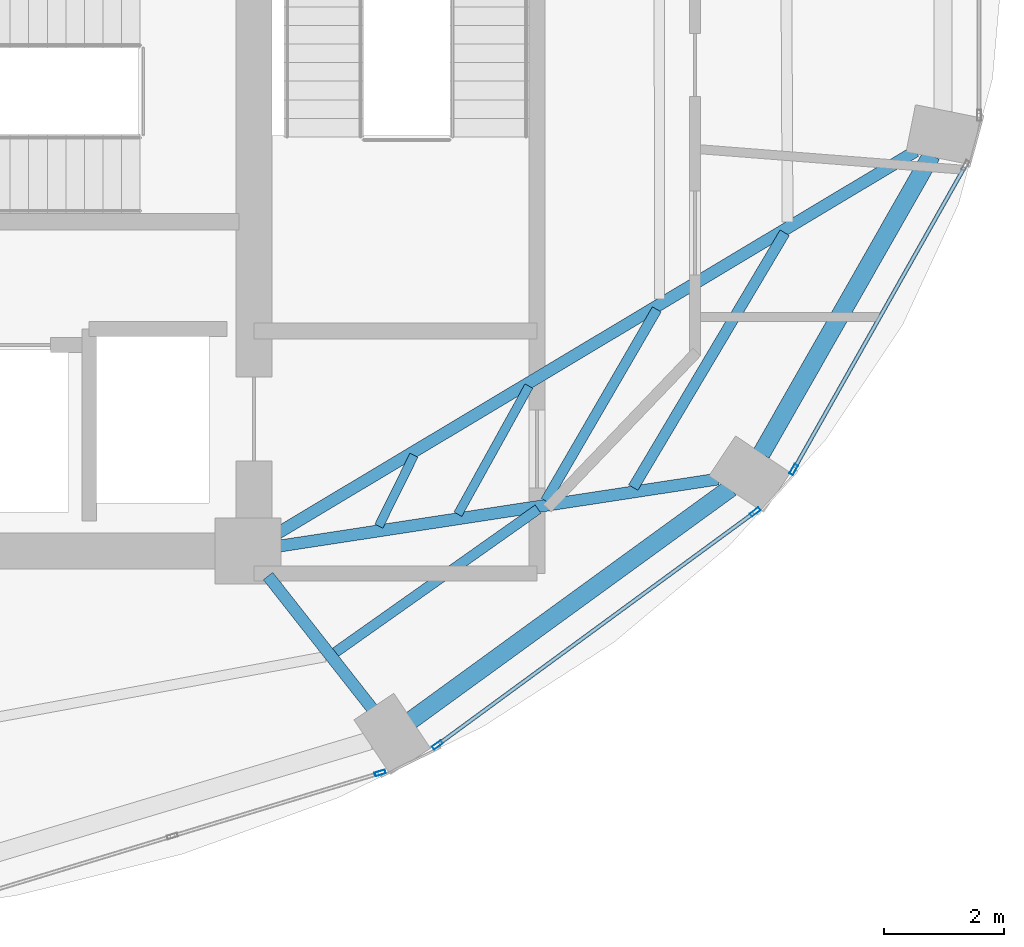
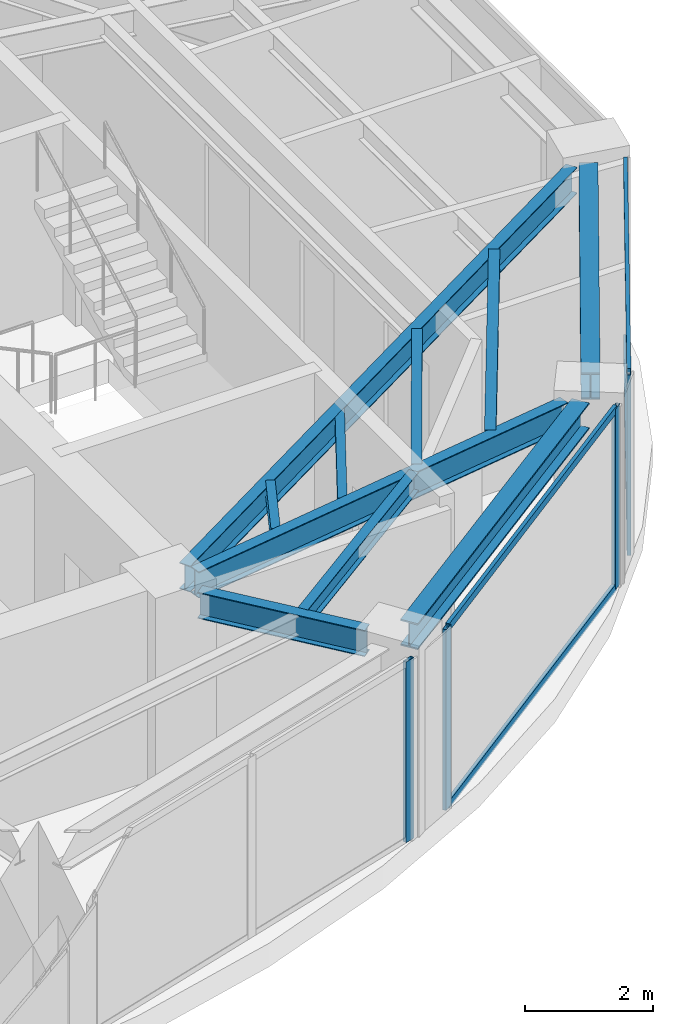
# One storey, part 13 of 23: 10 beams, 8 members, 3 elements without a shape of their own.
"""IFC4 building model written with IfcOpenShell, lengths in metres."""

from ifc_helpers import new_model, si_unit, direction, frame, origin, origin_2d, place, context, subcontext, project, spatial, hollow_rectangle, i_section, extrude, material, layer, layer_set, material_profile, profile_set, type_object, element, aggregate, save


model = new_model("IFC4")

# Units and contexts
model_context = context("Model", 3, precision=1e-05, world=origin(), true_north=direction((0.0, 1.0)))
body_context = subcontext(model_context, "Body", "Model", "MODEL_VIEW")
ifc_project = project(units=[si_unit("LENGTHUNIT", "METRE"), si_unit("AREAUNIT", "SQUARE_METRE"), si_unit("VOLUMEUNIT", "CUBIC_METRE"), si_unit("PLANEANGLEUNIT", "RADIAN"), si_unit("MASSUNIT", "GRAM", prefix="KILO")], contexts=[model_context])

# Site, building, storey
site_placement = place(None, origin())
site = spatial("IfcSite", under=ifc_project, at=site_placement, CompositionType="ELEMENT")
building_placement = place(site_placement, origin())
building = spatial("IfcBuilding", under=site, at=building_placement, Name="Lazwardi Medical Tower", CompositionType="ELEMENT")
storey_placement = place(building_placement, frame((0.0, 0.0, 194.83203125)))
storey = spatial("IfcBuildingStorey", under=building, at=storey_placement, Name="L50", CompositionType="ELEMENT", Elevation=194.83203125)

# Beams
ifc_material_1 = material(Name="Steel S355", Category="steel")
ifc_material_profile_1 = material_profile(ifc_material_1, i_section(OverallWidth=0.300048828125, OverallDepth=0.5, WebThickness=0.014404296875, FlangeThickness=0.028076171875, at=origin_2d()), Name="HEB 500")
ifc_profile_set_1 = profile_set([ifc_material_profile_1], Name="Steel S355")
beam_type_1 = type_object("IfcBeamType", Name="BM-RB-Z4", PredefinedType="BEAM", material=ifc_profile_set_1)
beam_1_placement = place(storey_placement, frame((48.31591796875, 17.5751953125, 3.197998046875), z_axis=(0.808889916254, 0.587960120571, 0.0), x_axis=(-0.587960120571, 0.808889916254, 0.0)))
element("IfcBeam", 1, at=beam_1_placement, inside=storey, type_object=beam_type_1, Name="Ring beam RB-05 B02 L50", PredefinedType="BEAM", context=body_context, shape_type="SweptSolid", body=[
    extrude(i_section(OverallWidth=0.300048828125, OverallDepth=0.5, WebThickness=0.014404296875, FlangeThickness=0.028076171875, at=origin_2d()), origin(), (0.0, 0.0, 1.0), 6.587158203125),
])
beam_2_placement = place(storey_placement, frame((54.15283203125, 22.016357421875, 3.197998046875), z_axis=(0.495125273299, 0.868821594886, 0.0), x_axis=(-0.868821594886, 0.495125273299, 0.0)))
element("IfcBeam", 2, at=beam_2_placement, inside=storey, type_object=beam_type_1, Name="Ring beam RB-05 B03 L50", PredefinedType="BEAM", context=body_context, shape_type="SweptSolid", body=[
    extrude(i_section(OverallWidth=0.300048828125, OverallDepth=0.5, WebThickness=0.014404296875, FlangeThickness=0.028076171875, at=origin_2d()), origin(), (0.0, 0.0, 1.0), 5.734130859375),
])
ifc_material_profile_2 = material_profile(ifc_material_1, i_section(OverallWidth=0.199951171875, OverallDepth=0.5, WebThickness=0.01025390625, FlangeThickness=0.01611328125, at=origin_2d()), Name="IPE 500")
ifc_profile_set_2 = profile_set([ifc_material_profile_2], Name="Steel S355")
beam_type_2 = type_object("IfcBeamType", Name="BM-RG-W3", PredefinedType="BEAM", material=ifc_profile_set_2)
beam_3_placement = place(storey_placement, frame((47.669677734375, 17.7666015625, 3.197998046875), z_axis=(-0.617890508382, 0.786264153864, 0.0), x_axis=(-0.786264153864, -0.617890508382, 0.0)))
element("IfcBeam", 3, at=beam_3_placement, inside=storey, type_object=beam_type_2, Name="Radial girder RG-04 R02 L50", PredefinedType="BEAM", context=body_context, shape_type="SweptSolid", body=[
    extrude(i_section(OverallWidth=0.199951171875, OverallDepth=0.5, WebThickness=0.01025390625, FlangeThickness=0.01611328125, at=origin_2d()), origin(), (0.0, 0.0, 1.0), 2.814453125),
])
beam_4_placement = place(storey_placement, frame((53.430908203125, 21.5966796875, 3.197998046875), z_axis=(-0.988522137285, -0.151076087115, 0.0), x_axis=(0.151076087115, -0.988522137285, 0.0)))
element("IfcBeam", 4, at=beam_4_placement, inside=storey, type_object=beam_type_2, Name="Radial girder RG-04 R03 L50", PredefinedType="BEAM", context=body_context, shape_type="SweptSolid", body=[
    extrude(i_section(OverallWidth=0.199951171875, OverallDepth=0.5, WebThickness=0.01025390625, FlangeThickness=0.01611328125, at=origin_2d()), origin(), (0.0, 0.0, 1.0), 7.38671875),
])
beam_5_placement = place(storey_placement, frame((56.72607421875, 27.062255859375, 3.197998046875), z_axis=(-0.857944804603, -0.513741873176, 0.0), x_axis=(0.513741873176, -0.857944804603, 0.0)))
element("IfcBeam", 5, at=beam_5_placement, inside=storey, type_object=beam_type_2, Name="Radial girder RG-04 R04 L50", PredefinedType="BEAM", context=body_context, shape_type="SweptSolid", body=[
    extrude(i_section(OverallWidth=0.199951171875, OverallDepth=0.5, WebThickness=0.01025390625, FlangeThickness=0.01611328125, at=origin_2d()), origin(), (0.0, 0.0, 1.0), 12.43310546875),
])
ifc_material_profile_3 = material_profile(ifc_material_1, i_section(OverallWidth=0.179931640625, OverallDepth=0.39990234375, WebThickness=0.008544921875, FlangeThickness=0.013427734375, at=origin_2d()), Name="IPE 400")
ifc_profile_set_3 = profile_set([ifc_material_profile_3], Name="Steel S355")
beam_type_3 = type_object("IfcBeamType", Name="BM-SJ-01", PredefinedType="JOIST", material=ifc_profile_set_3)
beam_6_placement = place(storey_placement, frame((52.01904296875, 21.455078125, 3.248046875), z_axis=(0.510967866251, 0.859599813668, 0.0), x_axis=(-0.859599813668, 0.510967866251, 0.0)))
element("IfcBeam", 6, at=beam_6_placement, inside=storey, type_object=beam_type_3, Name="Secondary joist SJ-01 R1 B03 L50", PredefinedType="JOIST", context=body_context, shape_type="SweptSolid", body=[
    extrude(i_section(OverallWidth=0.179931640625, OverallDepth=0.39990234375, WebThickness=0.008544921875, FlangeThickness=0.013427734375, at=origin_2d()), origin(), (0.0, 0.0, 1.0), 4.94189453125),
])
ifc_material_profile_4 = material_profile(ifc_material_1, i_section(OverallWidth=0.169921875, OverallDepth=0.360107421875, WebThickness=0.008056640625, FlangeThickness=0.0126953125, at=origin_2d()), Name="IPE 360")
ifc_profile_set_4 = profile_set([ifc_material_profile_4], Name="Steel S355")
beam_type_4 = type_object("IfcBeamType", Name="BM-SJ-02", PredefinedType="JOIST", material=ifc_profile_set_4)
beam_7_placement = place(storey_placement, frame((47.051513671875, 18.70654296875, 3.26806640625), z_axis=(0.816711190406, 0.577046645832, 0.0), x_axis=(-0.577046645832, 0.816711190406, 0.0)))
element("IfcBeam", 7, at=beam_7_placement, inside=storey, type_object=beam_type_4, Name="Secondary joist SJ-02 R2 B02 L50", PredefinedType="JOIST", context=body_context, shape_type="SweptSolid", body=[
    extrude(i_section(OverallWidth=0.169921875, OverallDepth=0.360107421875, WebThickness=0.008056640625, FlangeThickness=0.0126953125, at=origin_2d()), origin(), (0.0, 0.0, 1.0), 4.139892578125),
])
beam_8_placement = place(storey_placement, frame((50.5576171875, 21.232421875, 3.26806640625), z_axis=(0.50218018565, 0.864763008657, 0.0), x_axis=(-0.864763008657, 0.50218018565, 0.0)))
element("IfcBeam", 8, at=beam_8_placement, inside=storey, type_object=beam_type_4, Name="Secondary joist SJ-02 R2 B03 L50", PredefinedType="JOIST", context=body_context, shape_type="SweptSolid", body=[
    extrude(i_section(OverallWidth=0.169921875, OverallDepth=0.360107421875, WebThickness=0.008056640625, FlangeThickness=0.0126953125, at=origin_2d()), origin(), (0.0, 0.0, 1.0), 3.69189453125),
])
ifc_material_profile_5 = material_profile(ifc_material_1, i_section(OverallWidth=0.14990234375, OverallDepth=0.300048828125, WebThickness=0.007080078125, FlangeThickness=0.0107421875, at=origin_2d()), Name="IPE 300")
ifc_profile_set_5 = profile_set([ifc_material_profile_5], Name="Steel S355")
beam_type_5 = type_object("IfcBeamType", Name="BM-SJ-03", PredefinedType="JOIST", material=ifc_profile_set_5)
beam_9_placement = place(storey_placement, frame((49.095703125, 21.01025390625, 3.2978515625), z_axis=(0.484751625998, 0.874651851363, 0.0), x_axis=(-0.874651851363, 0.484751625998, 0.0)))
element("IfcBeam", 9, at=beam_9_placement, inside=storey, type_object=beam_type_5, Name="Secondary joist SJ-03 R3 B03 L50", PredefinedType="JOIST", context=body_context, shape_type="SweptSolid", body=[
    extrude(i_section(OverallWidth=0.14990234375, OverallDepth=0.300048828125, WebThickness=0.007080078125, FlangeThickness=0.0107421875, at=origin_2d()), origin(), (0.0, 0.0, 1.0), 2.442626953125),
])
beam_10_placement = place(storey_placement, frame((47.777587890625, 20.811279296875, 3.2978515625), z_axis=(0.443587297772, 0.89623116954, 0.0), x_axis=(-0.89623116954, 0.443587297772, 0.0)))
element("IfcBeam", 10, at=beam_10_placement, inside=storey, type_object=beam_type_5, Name="Secondary joist SJ-03 R4 B03 L50", PredefinedType="JOIST", context=body_context, shape_type="SweptSolid", body=[
    extrude(i_section(OverallWidth=0.14990234375, OverallDepth=0.300048828125, WebThickness=0.007080078125, FlangeThickness=0.0107421875, at=origin_2d()), origin(), (0.0, 0.0, 1.0), 1.32080078125),
])

# Curtain wall, member
ifc_material_2 = material(Name="Anodised bronze aluminium and solar control glazing", Category="aluminium")
ifc_layer = layer(ifc_material_2, 0.18994140625)
ifc_layer_set = layer_set([ifc_layer], Name="Anodised bronze aluminium and solar control glazing")
curtain_wall_type = type_object("IfcCurtainWallType", Name="CW-SYS-04", PredefinedType="NOTDEFINED", material=ifc_layer_set)
curtain_wall_1_placement = place(storey_placement, origin())
curtain_wall_1 = element("IfcCurtainWall", 11, at=curtain_wall_1_placement, inside=storey, type_object=curtain_wall_type, Name="L50 Unitised bronze curtain wall CW-04", PredefinedType="NOTDEFINED")
ifc_material_3 = material(Name="Anodised bronze aluminium", Category="aluminium")
ifc_material_profile_6 = material_profile(ifc_material_3, hollow_rectangle(XDim=0.06494140625, YDim=0.179931640625, WallThickness=0.00390625, at=origin_2d()), Name="ALU-MULLION 180x65x4")
ifc_profile_set_6 = profile_set([ifc_material_profile_6], Name="Anodised bronze aluminium")
member_type_1 = type_object("IfcMemberType", Name="CW-MUL-03", PredefinedType="MULLION", material=ifc_profile_set_6)
member_1_placement = place(storey_placement, frame((47.7998046875, 16.696533203125, 0.0), z_axis=(0.0, 0.0, 1.0), x_axis=(-0.290581889515, 0.956850126972, 0.0)))
member_1 = element("IfcMember", 12, at=member_1_placement, type_object=member_type_1, Name="CW-04 mullion 3", PredefinedType="MULLION", context=body_context, shape_type="SweptSolid", body=[
    extrude(hollow_rectangle(XDim=0.06494140625, YDim=0.179931640625, WallThickness=0.00390625, at=origin_2d()), origin(), (0.0, 0.0, 1.0), 3.447998046875),
])
aggregate(curtain_wall_1, [member_1])

# Curtain wall, members
curtain_wall_2_placement = place(storey_placement, origin())
curtain_wall_2 = element("IfcCurtainWall", 13, at=curtain_wall_2_placement, inside=storey, type_object=curtain_wall_type, Name="L50 Unitised bronze curtain wall CW-04", PredefinedType="NOTDEFINED")
member_2_placement = place(storey_placement, frame((48.75537109375, 17.1650390625, 0.0), z_axis=(0.0, 0.0, 1.0), x_axis=(-0.591268230971, 0.806474971121, 0.0)))
member_2 = element("IfcMember", 14, at=member_2_placement, type_object=member_type_1, Name="CW-04 mullion 1", PredefinedType="MULLION", context=body_context, shape_type="SweptSolid", body=[
    extrude(hollow_rectangle(XDim=0.06494140625, YDim=0.179931640625, WallThickness=0.00390625, at=origin_2d()), origin(), (0.0, 0.0, 1.0), 3.447998046875),
])
member_3_placement = place(storey_placement, frame((54.052001953125, 21.04833984375, 0.0), z_axis=(0.0, 0.0, 1.0), x_axis=(-0.591268230971, 0.806474971121, 0.0)))
member_3 = element("IfcMember", 15, at=member_3_placement, type_object=member_type_1, Name="CW-04 mullion 2", PredefinedType="MULLION", context=body_context, shape_type="SweptSolid", body=[
    extrude(hollow_rectangle(XDim=0.06494140625, YDim=0.179931640625, WallThickness=0.00390625, at=origin_2d()), origin(), (0.0, 0.0, 1.0), 3.447998046875),
])

# Curtain wall, member
curtain_wall_3_placement = place(storey_placement, origin())
curtain_wall_3 = element("IfcCurtainWall", 16, at=curtain_wall_3_placement, inside=storey, type_object=curtain_wall_type, Name="L50 Unitised bronze curtain wall CW-04", PredefinedType="NOTDEFINED")
member_4_placement = place(storey_placement, frame((54.6943359375, 21.75439453125, 0.0), z_axis=(0.0, 0.0, 1.0), x_axis=(-0.870651436011, 0.491900474661, 0.0)))
member_4 = element("IfcMember", 17, at=member_4_placement, type_object=member_type_1, Name="CW-04 mullion 1", PredefinedType="MULLION", context=body_context, shape_type="SweptSolid", body=[
    extrude(hollow_rectangle(XDim=0.06494140625, YDim=0.179931640625, WallThickness=0.00390625, at=origin_2d()), origin(), (0.0, 0.0, 1.0), 3.447998046875),
])

# Member
ifc_material_profile_7 = material_profile(ifc_material_3, hollow_rectangle(XDim=0.06494140625, YDim=0.139892578125, WallThickness=0.00341796875, at=origin_2d()), Name="ALU-TRANSOM 140x65x3.5")
ifc_profile_set_7 = profile_set([ifc_material_profile_7], Name="Anodised bronze aluminium")
member_type_2 = type_object("IfcMemberType", Name="CW-TRN-03", PredefinedType="USERDEFINED", material=ifc_profile_set_7)
member_5_placement = place(storey_placement, frame((48.781494140625, 17.184326171875, 0.032470703125), z_axis=(0.80648973359, 0.591248094808, 0.0), x_axis=(-0.591248094808, 0.80648973359, 0.0)))
member_5 = element("IfcMember", 18, at=member_5_placement, type_object=member_type_2, Name="CW-04 transom 1.1", ObjectType="TRANSOM", PredefinedType="USERDEFINED", context=body_context, shape_type="SweptSolid", body=[
    extrude(hollow_rectangle(XDim=0.06494140625, YDim=0.139892578125, WallThickness=0.00341796875, at=origin_2d()), origin(), (0.0, 0.0, 1.0), 6.502685546875),
])

member_6_placement = place(storey_placement, frame((48.781494140625, 17.184326171875, 3.41552734375), z_axis=(0.80648973359, 0.591248094808, 0.0), x_axis=(-0.591248094808, 0.80648973359, 0.0)))
member_6 = element("IfcMember", 19, at=member_6_placement, type_object=member_type_2, Name="CW-04 transom 1.2", ObjectType="TRANSOM", PredefinedType="USERDEFINED", context=body_context, shape_type="SweptSolid", body=[
    extrude(hollow_rectangle(XDim=0.06494140625, YDim=0.139892578125, WallThickness=0.00341796875, at=origin_2d()), origin(), (0.0, 0.0, 1.0), 6.502685546875),
])

aggregate(curtain_wall_2, [member_2, member_3, member_5, member_6])

member_7_placement = place(storey_placement, frame((54.71044921875, 21.78271484375, 0.032470703125), z_axis=(0.491879719484, 0.87066316194, 0.0), x_axis=(-0.87066316194, 0.491879719484, 0.0)))
member_7 = element("IfcMember", 20, at=member_7_placement, type_object=member_type_2, Name="CW-04 transom 1.1", ObjectType="TRANSOM", PredefinedType="USERDEFINED", context=body_context, shape_type="SweptSolid", body=[
    extrude(hollow_rectangle(XDim=0.06494140625, YDim=0.139892578125, WallThickness=0.00341796875, at=origin_2d()), origin(), (0.0, 0.0, 1.0), 5.755126953125),
])

member_8_placement = place(storey_placement, frame((54.71044921875, 21.78271484375, 3.41552734375), z_axis=(0.491879719484, 0.87066316194, 0.0), x_axis=(-0.87066316194, 0.491879719484, 0.0)))
member_8 = element("IfcMember", 21, at=member_8_placement, type_object=member_type_2, Name="CW-04 transom 1.2", ObjectType="TRANSOM", PredefinedType="USERDEFINED", context=body_context, shape_type="SweptSolid", body=[
    extrude(hollow_rectangle(XDim=0.06494140625, YDim=0.139892578125, WallThickness=0.00341796875, at=origin_2d()), origin(), (0.0, 0.0, 1.0), 5.755126953125),
])

aggregate(curtain_wall_3, [member_4, member_7, member_8])

save(model, "model.ifc")
